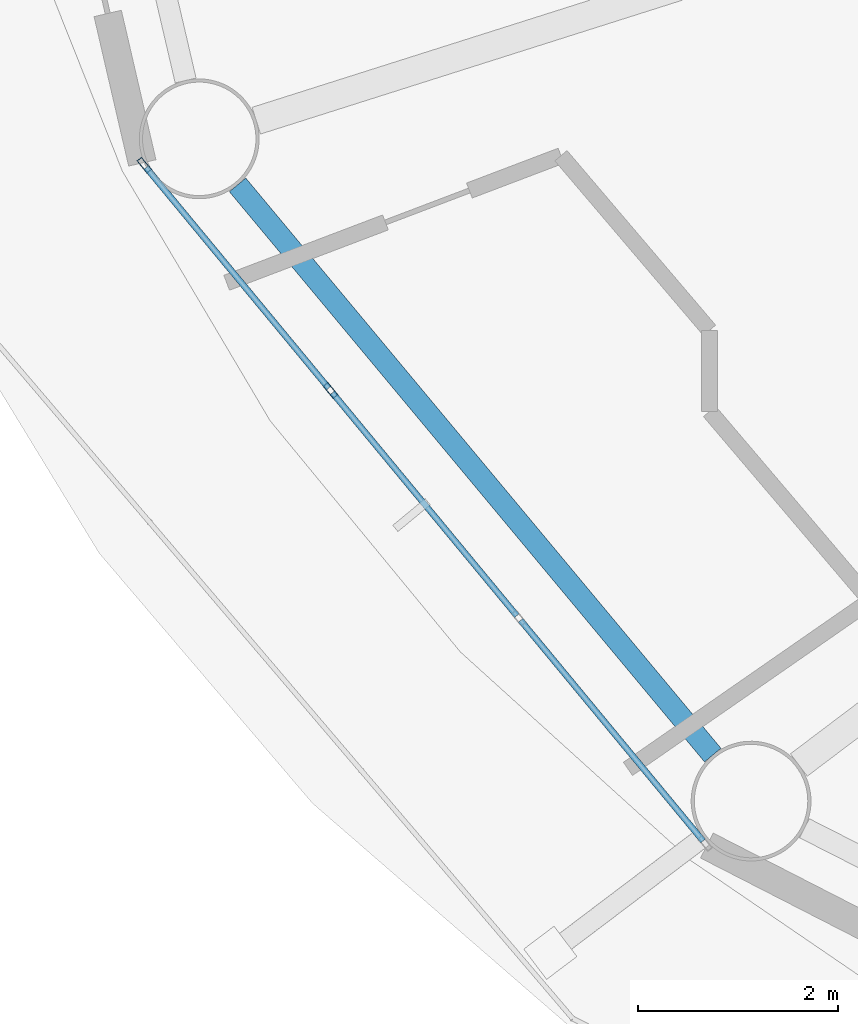
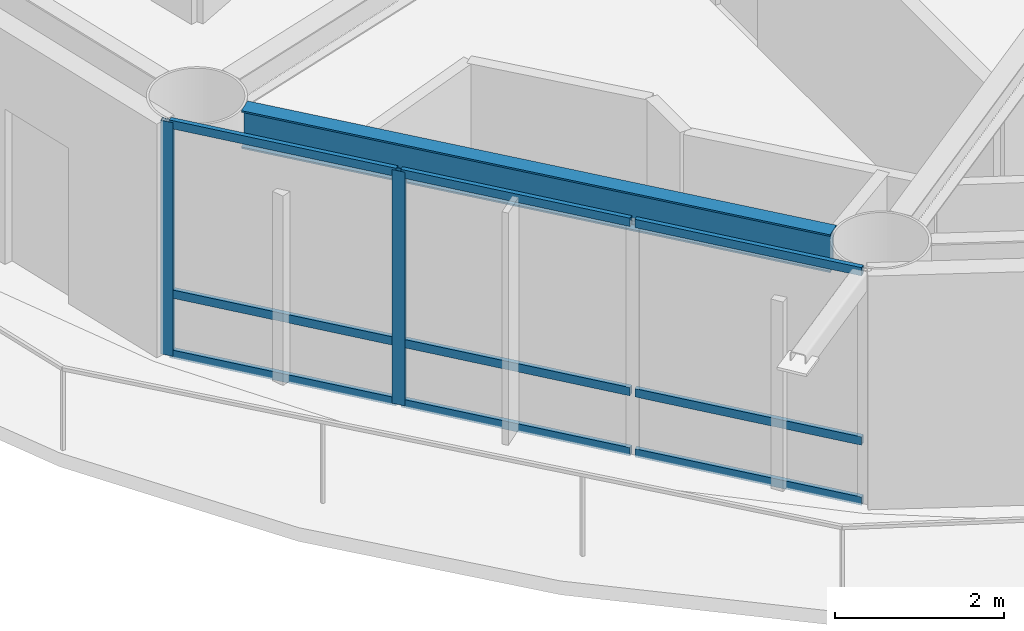
# One storey, part 3 of 28: 11 members, 1 beam, 1 element without a shape of its own.
"""IFC4 building model written with IfcOpenShell, lengths in metres."""

from ifc_helpers import new_model, si_unit, direction, frame, origin, origin_2d, place, context, subcontext, project, spatial, hollow_rectangle, i_section, extrude, material, layer, layer_set, material_profile, profile_set, type_object, element, aggregate, save


model = new_model("IFC4")

# Units and contexts
model_context = context("Model", 3, precision=1e-05, world=origin(), true_north=direction((0.0, 1.0)))
body_context = subcontext(model_context, "Body", "Model", "MODEL_VIEW")
ifc_project = project(units=[si_unit("LENGTHUNIT", "METRE"), si_unit("AREAUNIT", "SQUARE_METRE"), si_unit("VOLUMEUNIT", "CUBIC_METRE"), si_unit("PLANEANGLEUNIT", "RADIAN"), si_unit("MASSUNIT", "GRAM", prefix="KILO")], contexts=[model_context])

# Site, building, storey
site_placement = place(None, origin())
site = spatial("IfcSite", under=ifc_project, at=site_placement, CompositionType="ELEMENT")
building_placement = place(site_placement, origin())
building = spatial("IfcBuilding", under=site, at=building_placement, Name="Sarneth Arch Tower", CompositionType="ELEMENT")
storey_placement = place(building_placement, frame((0.0, 0.0, 190.199951171875)))
storey = spatial("IfcBuildingStorey", under=building, at=storey_placement, Name="L48", CompositionType="ELEMENT", Elevation=190.199951171875)

# Beam
ifc_material_1 = material(Name="Steel S355", Category="steel")
ifc_material_profile_1 = material_profile(ifc_material_1, i_section(OverallWidth=0.214111328125, OverallDepth=0.549072265625, WebThickness=0.0146484375, FlangeThickness=0.023681640625, FilletRadius=0.01806640625, at=origin_2d()), Name="W530x138")
ifc_profile_set_1 = profile_set([ifc_material_profile_1], Name="Steel S355")
beam_type = type_object("IfcBeamType", Name="BM-RAD-530A", PredefinedType="BEAM", material=ifc_profile_set_1)
beam_placement = place(storey_placement, frame((23.721923828125, 33.713134765625, 3.10546875), z_axis=(0.640161793626, -0.768240117399, 0.0), x_axis=(0.768240117399, 0.640161793626, 0.0)))
element("IfcBeam", 1, at=beam_placement, inside=storey, type_object=beam_type, Name="L48 Perimeter spandrel beam 10", PredefinedType="BEAM", context=body_context, shape_type="SweptSolid", body=[
    extrude(i_section(OverallWidth=0.214111328125, OverallDepth=0.549072265625, WebThickness=0.0146484375, FlangeThickness=0.023681640625, FilletRadius=0.01806640625, at=origin_2d()), origin(), (0.0, 0.0, 1.0), 7.43603515625),
])

# Curtain wall, members
ifc_material_2 = material(Name="Anodised aluminium Type AA25 and solar-control low-e laminated IGU", Category="aluminium")
ifc_layer = layer(ifc_material_2, 0.169921875)
ifc_layer_set = layer_set([ifc_layer], Name="Anodised aluminium Type AA25 and solar-control low-e laminated IGU")
curtain_wall_type = type_object("IfcCurtainWallType", Name="CW-RES-MID", PredefinedType="NOTDEFINED", material=ifc_layer_set)
curtain_wall_placement = place(storey_placement, origin())
curtain_wall = element("IfcCurtainWall", 2, at=curtain_wall_placement, inside=storey, type_object=curtain_wall_type, Name="L48 Unitised curtain wall facet 10", PredefinedType="NOTDEFINED")
ifc_material_3 = material(Name="Anodised Aluminium 6063-T6", Category="aluminium")
ifc_material_profile_2 = material_profile(ifc_material_3, hollow_rectangle(XDim=0.06005859375, YDim=0.159912109375, WallThickness=0.00390625, at=origin_2d()), Name="AL-MULL-160x60x4")
ifc_profile_set_2 = profile_set([ifc_material_profile_2], Name="Anodised Aluminium 6063-T6")
member_type_1 = type_object("IfcMemberType", Name="CW-MULLION", PredefinedType="MULLION", material=ifc_profile_set_2)
member_1_placement = place(storey_placement, frame((22.786865234375, 33.909912109375, 0.0), z_axis=(0.0, 0.0, 1.0), x_axis=(0.770590741276, 0.637330298558, 0.0)))
member_1 = element("IfcMember", 3, at=member_1_placement, type_object=member_type_1, Name="CW-SYS-5 mullion 1", PredefinedType="MULLION", context=body_context, shape_type="SweptSolid", body=[
    extrude(hollow_rectangle(XDim=0.06005859375, YDim=0.159912109375, WallThickness=0.00390625, at=origin_2d()), origin(), (0.0, 0.0, 1.0), 3.380126953125),
])
member_2_placement = place(storey_placement, frame((24.653076171875, 31.6533203125, 0.0), z_axis=(0.0, 0.0, 1.0), x_axis=(0.770590741276, 0.637330298558, 0.0)))
member_2 = element("IfcMember", 4, at=member_2_placement, type_object=member_type_1, Name="CW-SYS-5 mullion 2", PredefinedType="MULLION", context=body_context, shape_type="SweptSolid", body=[
    extrude(hollow_rectangle(XDim=0.06005859375, YDim=0.159912109375, WallThickness=0.00390625, at=origin_2d()), origin(), (0.0, 0.0, 1.0), 3.380126953125),
])
ifc_material_4 = material(Name="Anodised Aluminium 6063-T6", Category="aluminium")
ifc_material_profile_3 = material_profile(ifc_material_4, hollow_rectangle(XDim=0.06005859375, YDim=0.1201171875, WallThickness=0.00390625, at=origin_2d()), Name="AL-TRAN-120x60x4")
ifc_profile_set_3 = profile_set([ifc_material_profile_3], Name="Anodised Aluminium 6063-T6")
member_type_2 = type_object("IfcMemberType", Name="CW-TRANSOM", PredefinedType="USERDEFINED", material=ifc_profile_set_3)
member_3_placement = place(storey_placement, frame((22.805908203125, 33.88671875, 0.030029296875), z_axis=(0.637358651504, -0.770567290607, 0.0), x_axis=(0.770567290607, 0.637358651504, 0.0)))
member_3 = element("IfcMember", 5, at=member_3_placement, type_object=member_type_2, Name="CW-SYS-5 transom 1.1", ObjectType="TRANSOM", PredefinedType="USERDEFINED", context=body_context, shape_type="SweptSolid", body=[
    extrude(hollow_rectangle(XDim=0.06005859375, YDim=0.1201171875, WallThickness=0.00390625, at=origin_2d()), origin(), (0.0, 0.0, 1.0), 2.8681640625),
])
member_4_placement = place(storey_placement, frame((22.805908203125, 33.88671875, 0.900146484375), z_axis=(0.637358651504, -0.770567290607, 0.0), x_axis=(0.770567290607, 0.637358651504, 0.0)))
member_4 = element("IfcMember", 6, at=member_4_placement, type_object=member_type_2, Name="CW-SYS-5 transom 1.2", ObjectType="TRANSOM", PredefinedType="USERDEFINED", context=body_context, shape_type="SweptSolid", body=[
    extrude(hollow_rectangle(XDim=0.06005859375, YDim=0.1201171875, WallThickness=0.00390625, at=origin_2d()), origin(), (0.0, 0.0, 1.0), 2.8681640625),
])
member_5_placement = place(storey_placement, frame((22.805908203125, 33.88671875, 3.35009765625), z_axis=(0.637358651504, -0.770567290607, 0.0), x_axis=(0.770567290607, 0.637358651504, 0.0)))
member_5 = element("IfcMember", 7, at=member_5_placement, type_object=member_type_2, Name="CW-SYS-5 transom 1.3", ObjectType="TRANSOM", PredefinedType="USERDEFINED", context=body_context, shape_type="SweptSolid", body=[
    extrude(hollow_rectangle(XDim=0.06005859375, YDim=0.1201171875, WallThickness=0.00390625, at=origin_2d()), origin(), (0.0, 0.0, 1.0), 2.8681640625),
])
member_6_placement = place(storey_placement, frame((24.672119140625, 31.63037109375, 0.030029296875), z_axis=(0.637329777791, -0.770591171985, 0.0), x_axis=(0.770591171985, 0.637329777791, 0.0)))
member_6 = element("IfcMember", 8, at=member_6_placement, type_object=member_type_2, Name="CW-SYS-5 transom 2.1", ObjectType="TRANSOM", PredefinedType="USERDEFINED", context=body_context, shape_type="SweptSolid", body=[
    extrude(hollow_rectangle(XDim=0.06005859375, YDim=0.1201171875, WallThickness=0.00390625, at=origin_2d()), origin(), (0.0, 0.0, 1.0), 2.898193359375),
])
member_7_placement = place(storey_placement, frame((24.672119140625, 31.63037109375, 0.900146484375), z_axis=(0.637329777791, -0.770591171985, 0.0), x_axis=(0.770591171985, 0.637329777791, 0.0)))
member_7 = element("IfcMember", 9, at=member_7_placement, type_object=member_type_2, Name="CW-SYS-5 transom 2.2", ObjectType="TRANSOM", PredefinedType="USERDEFINED", context=body_context, shape_type="SweptSolid", body=[
    extrude(hollow_rectangle(XDim=0.06005859375, YDim=0.1201171875, WallThickness=0.00390625, at=origin_2d()), origin(), (0.0, 0.0, 1.0), 2.898193359375),
])
member_8_placement = place(storey_placement, frame((24.672119140625, 31.63037109375, 3.35009765625), z_axis=(0.637329777791, -0.770591171985, 0.0), x_axis=(0.770591171985, 0.637329777791, 0.0)))
member_8 = element("IfcMember", 10, at=member_8_placement, type_object=member_type_2, Name="CW-SYS-5 transom 2.3", ObjectType="TRANSOM", PredefinedType="USERDEFINED", context=body_context, shape_type="SweptSolid", body=[
    extrude(hollow_rectangle(XDim=0.06005859375, YDim=0.1201171875, WallThickness=0.00390625, at=origin_2d()), origin(), (0.0, 0.0, 1.0), 2.898193359375),
])
member_9_placement = place(storey_placement, frame((26.5576171875, 29.3505859375, 0.030029296875), z_axis=(0.637358651504, -0.770567290607, 0.0), x_axis=(0.770567290607, 0.637358651504, 0.0)))
member_9 = element("IfcMember", 11, at=member_9_placement, type_object=member_type_2, Name="CW-SYS-5 transom 3.1", ObjectType="TRANSOM", PredefinedType="USERDEFINED", context=body_context, shape_type="SweptSolid", body=[
    extrude(hollow_rectangle(XDim=0.06005859375, YDim=0.1201171875, WallThickness=0.00390625, at=origin_2d()), origin(), (0.0, 0.0, 1.0), 2.8681640625),
])
member_10_placement = place(storey_placement, frame((26.5576171875, 29.3505859375, 0.900146484375), z_axis=(0.637358651504, -0.770567290607, 0.0), x_axis=(0.770567290607, 0.637358651504, 0.0)))
member_10 = element("IfcMember", 12, at=member_10_placement, type_object=member_type_2, Name="CW-SYS-5 transom 3.2", ObjectType="TRANSOM", PredefinedType="USERDEFINED", context=body_context, shape_type="SweptSolid", body=[
    extrude(hollow_rectangle(XDim=0.06005859375, YDim=0.1201171875, WallThickness=0.00390625, at=origin_2d()), origin(), (0.0, 0.0, 1.0), 2.8681640625),
])
member_11_placement = place(storey_placement, frame((26.5576171875, 29.3505859375, 3.35009765625), z_axis=(0.637358651504, -0.770567290607, 0.0), x_axis=(0.770567290607, 0.637358651504, 0.0)))
member_11 = element("IfcMember", 13, at=member_11_placement, type_object=member_type_2, Name="CW-SYS-5 transom 3.3", ObjectType="TRANSOM", PredefinedType="USERDEFINED", context=body_context, shape_type="SweptSolid", body=[
    extrude(hollow_rectangle(XDim=0.06005859375, YDim=0.1201171875, WallThickness=0.00390625, at=origin_2d()), origin(), (0.0, 0.0, 1.0), 2.8681640625),
])
aggregate(curtain_wall, [member_1, member_2, member_3, member_4, member_5, member_6, member_7, member_8, member_9, member_10, member_11])

save(model, "model.ifc")
